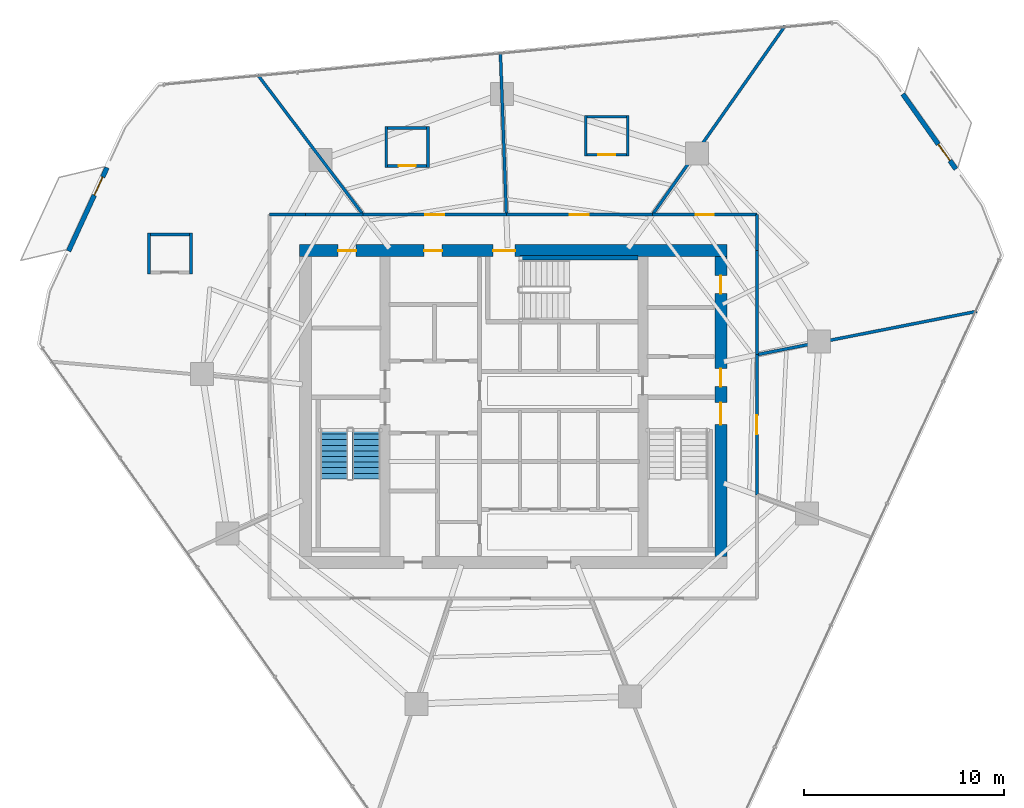
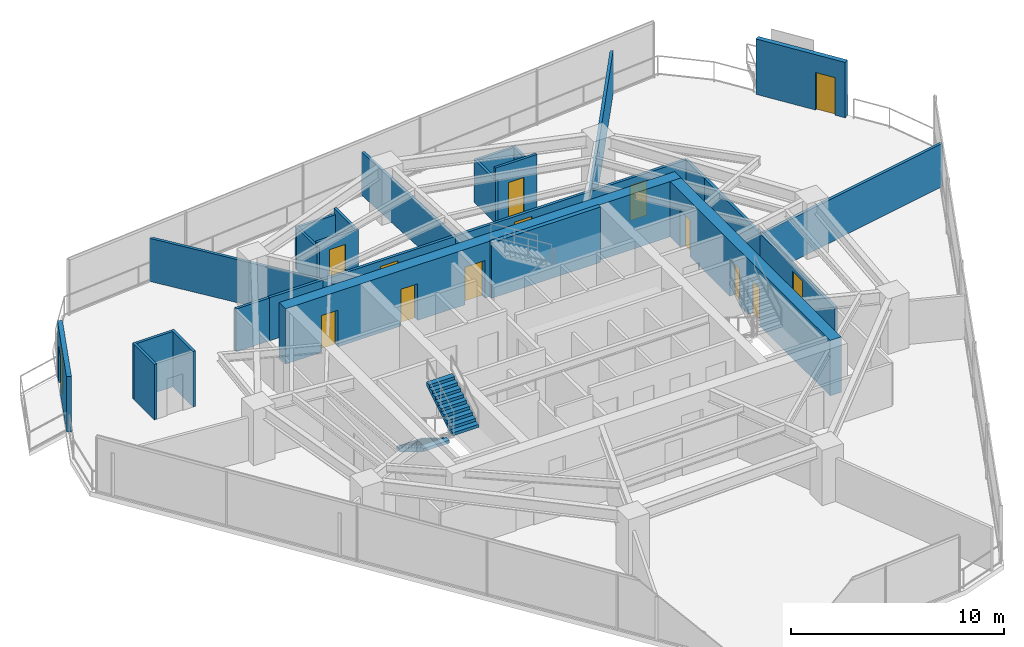
# One storey, part 26 of 30: 28 walls, 14 doors, 2 stair flights, 14 openings, 1 element without a shape of its own.
"""IFC4 building model written with IfcOpenShell, lengths in metres."""

from ifc_helpers import new_model, si_unit, direction, frame, frame_2d, origin, place, context, subcontext, project, spatial, polyline, rectangle, outline, extrude, material, layer, layer_set, type_object, element, fill, aggregate, save


model = new_model("IFC4")

# Units and contexts
model_context = context("Model", 3, precision=1e-05, world=origin(), true_north=direction((0.0, 1.0)))
body_context = subcontext(model_context, "Body", "Model", "MODEL_VIEW")
ifc_project = project(units=[si_unit("LENGTHUNIT", "METRE"), si_unit("AREAUNIT", "SQUARE_METRE"), si_unit("VOLUMEUNIT", "CUBIC_METRE"), si_unit("PLANEANGLEUNIT", "RADIAN"), si_unit("MASSUNIT", "GRAM", prefix="KILO")], contexts=[model_context])

# Site, building, storey
site_placement = place(None, origin())
site = spatial("IfcSite", under=ifc_project, at=site_placement, CompositionType="ELEMENT")
building_placement = place(site_placement, origin())
building = spatial("IfcBuilding", under=site, at=building_placement, Name="Qarnah Convention Tower", CompositionType="ELEMENT")
storey_placement = place(building_placement, frame((0.0, 0.0, 86.699951171875)))
storey = spatial("IfcBuildingStorey", under=building, at=storey_placement, Name="L22", CompositionType="ELEMENT", Elevation=86.699951171875)

# Wall, openings, doors
ifc_material_1 = material(Name="Concrete C60/75", Category="concrete")
ifc_layer_1 = layer(ifc_material_1, 0.60009765625)
ifc_layer_set_1 = layer_set([ifc_layer_1], Name="Concrete C60/75")
wall_type_1 = type_object("IfcWallType", Name="WL-CORE-600", PredefinedType="SHEAR", material=ifc_layer_set_1)
wall_1_placement = place(storey_placement, frame((26.5, 34.199951171875, 0.0), z_axis=(0.0, 0.0, 1.0), x_axis=(1.0, 0.0, 0.0)))
wall_1 = element("IfcWall", 1, at=wall_1_placement, inside=storey, type_object=wall_type_1, Name="L22 core north shear wall", PredefinedType="SHEAR", context=body_context, shape_type="SweptSolid", body=[
    extrude(rectangle(XDim=21.39990234375, YDim=0.60009765625, at=frame_2d((10.699951171875, 0.0))), origin(), (0.0, 0.0, 1.0), 3.170166015625),
])
opening_1_placement = place(wall_1_placement, frame((9.699951171875, 0.0, 0.0)))
opening_1 = element("IfcOpeningElement", 2, at=opening_1_placement, cuts=wall_1, Name="Opening D-2203", PredefinedType="OPENING", context=body_context, shape_type="SweptSolid", body=[
    extrude(rectangle(XDim=1.10009765625, YDim=2.14990234375, at=frame_2d((0.550048828125, 1.074951171875))), frame((0.0, 0.31005859375, 0.0), z_axis=(0.0, -1.0, 0.0), x_axis=(1.0, 0.0, 0.0)), (0.0, 0.0, 1.0), 0.6201171875),
])
opening_2_placement = place(wall_1_placement, frame((1.949951171875, 0.0, 0.0)))
opening_2 = element("IfcOpeningElement", 3, at=opening_2_placement, cuts=wall_1, Name="Opening D-2209", PredefinedType="OPENING", context=body_context, shape_type="SweptSolid", body=[
    extrude(rectangle(XDim=0.89990234375, YDim=2.10009765625, at=frame_2d((0.449951171875, 1.050048828125))), frame((0.0, 0.31005859375, 0.0), z_axis=(0.0, -1.0, 0.0), x_axis=(1.0, 0.0, 0.0)), (0.0, 0.0, 1.0), 0.6201171875),
])
opening_3_placement = place(wall_1_placement, frame((6.25, 0.0, 0.0)))
opening_3 = element("IfcOpeningElement", 4, at=opening_3_placement, cuts=wall_1, Name="Opening D-2210", PredefinedType="OPENING", context=body_context, shape_type="SweptSolid", body=[
    extrude(rectangle(XDim=0.89990234375, YDim=2.10009765625, at=frame_2d((0.449951171875, 1.050048828125))), frame((0.0, 0.31005859375, 0.0), z_axis=(0.0, -1.0, 0.0), x_axis=(1.0, 0.0, 0.0)), (0.0, 0.0, 1.0), 0.6201171875),
])
ifc_material_2 = material(Name="Structural steel S355JR", Category="steel")
door_type_1 = type_object("IfcDoorType", Name="DT-RISER-900", OperationType="NOTDEFINED", PredefinedType="DOOR", material=ifc_material_2)
door_1_placement = place(opening_2_placement, origin())
door_1 = element("IfcDoor", 5, at=door_1_placement, inside=storey, type_object=door_type_1, Name="Door D-2209", OperationType="SINGLE_SWING_RIGHT", OverallHeight=2.10009765625, OverallWidth=0.89990234375, PredefinedType="DOOR", context=body_context, shape_type="SweptSolid", body=[
    extrude(rectangle(XDim=0.89990234375, YDim=2.10009765625, at=frame_2d((0.449951171875, 1.050048828125))), frame((0.0, 0.02490234375, 0.0), z_axis=(0.0, -1.0, 0.0), x_axis=(1.0, 0.0, 0.0)), (0.0, 0.0, 1.0), 0.050048828125),
])
fill(opening_2, door_1)
door_2_placement = place(opening_3_placement, origin())
door_2 = element("IfcDoor", 6, at=door_2_placement, inside=storey, type_object=door_type_1, Name="Door D-2210", OperationType="SINGLE_SWING_LEFT", OverallHeight=2.10009765625, OverallWidth=0.89990234375, PredefinedType="DOOR", context=body_context, shape_type="SweptSolid", body=[
    extrude(rectangle(XDim=0.89990234375, YDim=2.10009765625, at=frame_2d((0.449951171875, 1.050048828125))), frame((0.0, 0.02490234375, 0.0), z_axis=(0.0, -1.0, 0.0), x_axis=(1.0, 0.0, 0.0)), (0.0, 0.0, 1.0), 0.050048828125),
])
fill(opening_3, door_2)
door_type_2 = type_object("IfcDoorType", Name="DT-STAIR-1100", OperationType="NOTDEFINED", PredefinedType="DOOR", material=ifc_material_2)
door_3_placement = place(opening_1_placement, origin())
door_3 = element("IfcDoor", 7, at=door_3_placement, inside=storey, type_object=door_type_2, Name="Door D-2203", OperationType="SINGLE_SWING_RIGHT", OverallHeight=2.14990234375, OverallWidth=1.10009765625, PredefinedType="DOOR", context=body_context, shape_type="SweptSolid", body=[
    extrude(rectangle(XDim=1.10009765625, YDim=2.14990234375, at=frame_2d((0.550048828125, 1.074951171875))), frame((0.0, 0.02490234375, 0.0), z_axis=(0.0, -1.0, 0.0), x_axis=(1.0, 0.0, 0.0)), (0.0, 0.0, 1.0), 0.050048828125),
])
fill(opening_1, door_3)

wall_2_placement = place(storey_placement, frame((47.60009765625, 18.89990234375, 0.0), z_axis=(0.0, 0.0, 1.0), x_axis=(0.0, 1.0, 0.0)))
wall_2 = element("IfcWall", 8, at=wall_2_placement, inside=storey, type_object=wall_type_1, Name="L22 core east shear wall", PredefinedType="SHEAR", context=body_context, shape_type="SweptSolid", body=[
    extrude(rectangle(XDim=15.0, YDim=0.60009765625, at=frame_2d((7.5, 0.0))), origin(), (0.0, 0.0, 1.0), 3.170166015625),
])
opening_4_placement = place(wall_2_placement, frame((6.60009765625, 0.0, 0.0)))
opening_4 = element("IfcOpeningElement", 9, at=opening_4_placement, cuts=wall_2, Name="Opening D-2202", PredefinedType="OPENING", context=body_context, shape_type="SweptSolid", body=[
    extrude(rectangle(XDim=1.10009765625, YDim=2.14990234375, at=frame_2d((0.550048828125, 1.074951171875))), frame((0.0, 0.31005859375, 0.0), z_axis=(0.0, -1.0, 0.0), x_axis=(1.0, 0.0, 0.0)), (0.0, 0.0, 1.0), 0.6201171875),
])
opening_5_placement = place(wall_2_placement, frame((8.5, 0.0, 0.0)))
opening_5 = element("IfcOpeningElement", 10, at=opening_5_placement, cuts=wall_2, Name="Opening D-2206", PredefinedType="OPENING", context=body_context, shape_type="SweptSolid", body=[
    extrude(rectangle(XDim=0.89990234375, YDim=2.10009765625, at=frame_2d((0.449951171875, 1.050048828125))), frame((0.0, 0.31005859375, 0.0), z_axis=(0.0, -1.0, 0.0), x_axis=(1.0, 0.0, 0.0)), (0.0, 0.0, 1.0), 0.6201171875),
])
opening_6_placement = place(wall_2_placement, frame((13.14990234375, 0.0, 0.0)))
opening_6 = element("IfcOpeningElement", 11, at=opening_6_placement, cuts=wall_2, Name="Opening D-2212", PredefinedType="OPENING", context=body_context, shape_type="SweptSolid", body=[
    extrude(rectangle(XDim=0.89990234375, YDim=2.10009765625, at=frame_2d((0.449951171875, 1.050048828125))), frame((0.0, 0.31005859375, 0.0), z_axis=(0.0, -1.0, 0.0), x_axis=(1.0, 0.0, 0.0)), (0.0, 0.0, 1.0), 0.6201171875),
])
door_4_placement = place(opening_5_placement, origin())
door_4 = element("IfcDoor", 12, at=door_4_placement, inside=storey, type_object=door_type_1, Name="Door D-2206", OperationType="SINGLE_SWING_LEFT", OverallHeight=2.10009765625, OverallWidth=0.89990234375, PredefinedType="DOOR", context=body_context, shape_type="SweptSolid", body=[
    extrude(rectangle(XDim=0.89990234375, YDim=2.10009765625, at=frame_2d((0.449951171875, 1.050048828125))), frame((0.0, 0.02490234375, 0.0), z_axis=(0.0, -1.0, 0.0), x_axis=(1.0, 0.0, 0.0)), (0.0, 0.0, 1.0), 0.050048828125),
])
fill(opening_5, door_4)
door_5_placement = place(opening_6_placement, origin())
door_5 = element("IfcDoor", 13, at=door_5_placement, inside=storey, type_object=door_type_1, Name="Door D-2212", OperationType="SINGLE_SWING_LEFT", OverallHeight=2.10009765625, OverallWidth=0.89990234375, PredefinedType="DOOR", context=body_context, shape_type="SweptSolid", body=[
    extrude(rectangle(XDim=0.89990234375, YDim=2.10009765625, at=frame_2d((0.449951171875, 1.050048828125))), frame((0.0, 0.02490234375, 0.0), z_axis=(0.0, -1.0, 0.0), x_axis=(1.0, 0.0, 0.0)), (0.0, 0.0, 1.0), 0.050048828125),
])
fill(opening_6, door_5)
door_6_placement = place(opening_4_placement, origin())
door_6 = element("IfcDoor", 14, at=door_6_placement, inside=storey, type_object=door_type_2, Name="Door D-2202", OperationType="SINGLE_SWING_LEFT", OverallHeight=2.14990234375, OverallWidth=1.10009765625, PredefinedType="DOOR", context=body_context, shape_type="SweptSolid", body=[
    extrude(rectangle(XDim=1.10009765625, YDim=2.14990234375, at=frame_2d((0.550048828125, 1.074951171875))), frame((0.0, 0.02490234375, 0.0), z_axis=(0.0, -1.0, 0.0), x_axis=(1.0, 0.0, 0.0)), (0.0, 0.0, 1.0), 0.050048828125),
])
fill(opening_4, door_6)

# Wall
ifc_layer_2 = layer(ifc_material_1, 0.219970703125)
ifc_layer_set_2 = layer_set([ifc_layer_2], Name="Concrete C60/75")
wall_type_2 = type_object("IfcWallType", Name="WL-CORE-STAIR-220", PredefinedType="SHEAR", material=ifc_layer_set_2)
wall_3_placement = place(storey_placement, frame((37.550048828125, 33.840087890625, 0.0), z_axis=(0.0, 0.0, 1.0), x_axis=(1.0, 0.0, 0.0)))
element("IfcWall", 15, at=wall_3_placement, inside=storey, type_object=wall_type_2, Name="L22 stair shaft shear wall SW-L22-ST3N", PredefinedType="SHEAR", context=body_context, shape_type="SweptSolid", body=[
    extrude(rectangle(XDim=5.89990234375, YDim=0.219970703125, at=frame_2d((2.949951171875, 0.0))), origin(), (0.0, 0.0, 1.0), 3.170166015625),
])

# Wall, opening, door
ifc_material_3 = material(Name="Precast concrete C45/55", Category="concrete")
ifc_layer_3 = layer(ifc_material_3, 0.239990234375)
ifc_layer_set_3 = layer_set([ifc_layer_3], Name="Precast concrete C45/55")
wall_type_3 = type_object("IfcWallType", Name="WL-EXT-BAL-240", PredefinedType="SOLIDWALL", material=ifc_layer_set_3)
wall_4_placement = place(storey_placement, frame((56.7060546875, 42.0380859375, 0.0), z_axis=(0.0, 0.0, 1.0), x_axis=(0.577597585824, -0.816321645462, 0.0)))
wall_4 = element("IfcWall", 16, at=wall_4_placement, inside=storey, type_object=wall_type_3, Name="L22 loggia threshold wall BAL-L22-C1", PredefinedType="SOLIDWALL", context=body_context, shape_type="SweptSolid", body=[
    extrude(rectangle(XDim=4.60009765625, YDim=0.239990234375, at=frame_2d((2.300048828125, 0.0))), origin(), (0.0, 0.0, 1.0), 3.170166015625),
])
opening_7_placement = place(wall_4_placement, frame((3.080078125, 0.0, 0.0)))
opening_7 = element("IfcOpeningElement", 17, at=opening_7_placement, cuts=wall_4, Name="Opening BD-2201", PredefinedType="OPENING", context=body_context, shape_type="SweptSolid", body=[
    extrude(rectangle(XDim=1.0, YDim=2.14990234375, at=frame_2d((0.5, 1.074951171875))), frame((0.0, 0.1298828125, 0.0), z_axis=(0.0, -1.0, 0.0), x_axis=(1.0, 0.0, 0.0)), (0.0, 0.0, 1.0), 0.260009765625),
])
ifc_material_4 = material(Name="Black anodised aluminium", Category="aluminium")
door_type_3 = type_object("IfcDoorType", Name="DT-BAL-1000", OperationType="NOTDEFINED", PredefinedType="DOOR", material=ifc_material_4)
door_7_placement = place(opening_7_placement, origin())
door_7 = element("IfcDoor", 18, at=door_7_placement, inside=storey, type_object=door_type_3, Name="L22 balcony terrace door BAL-L22-C1", OperationType="SINGLE_SWING_LEFT", OverallHeight=2.14990234375, OverallWidth=1.0, PredefinedType="DOOR", context=body_context, shape_type="SweptSolid", body=[
    extrude(rectangle(XDim=1.0, YDim=2.14990234375, at=frame_2d((0.5, 1.074951171875))), frame((0.0, 0.02490234375, 0.0), z_axis=(0.0, -1.0, 0.0), x_axis=(1.0, 0.0, 0.0)), (0.0, 0.0, 1.0), 0.050048828125),
])
fill(opening_7, door_7)

wall_5_placement = place(storey_placement, frame((14.951904296875, 34.178955078125, 0.0), z_axis=(0.0, 0.0, 1.0), x_axis=(0.418300711936, 0.908308600859, 0.0)))
wall_5 = element("IfcWall", 19, at=wall_5_placement, inside=storey, type_object=wall_type_3, Name="L22 loggia threshold wall BAL-L22-C2", PredefinedType="SOLIDWALL", context=body_context, shape_type="SweptSolid", body=[
    extrude(rectangle(XDim=4.599853515625, YDim=0.239990234375, at=frame_2d((2.2998046875, 0.0))), origin(), (0.0, 0.0, 1.0), 3.170166015625),
])
opening_8_placement = place(wall_5_placement, frame((3.080078125, 0.0, 0.0)))
opening_8 = element("IfcOpeningElement", 20, at=opening_8_placement, cuts=wall_5, Name="Opening BD-2202", PredefinedType="OPENING", context=body_context, shape_type="SweptSolid", body=[
    extrude(rectangle(XDim=1.0, YDim=2.14990234375, at=frame_2d((0.5, 1.074951171875))), frame((0.0, 0.1298828125, 0.0), z_axis=(0.0, -1.0, 0.0), x_axis=(1.0, 0.0, 0.0)), (0.0, 0.0, 1.0), 0.260009765625),
])
door_8_placement = place(opening_8_placement, origin())
door_8 = element("IfcDoor", 21, at=door_8_placement, inside=storey, type_object=door_type_3, Name="L22 balcony terrace door BAL-L22-C2", OperationType="SINGLE_SWING_RIGHT", OverallHeight=2.14990234375, OverallWidth=1.0, PredefinedType="DOOR", context=body_context, shape_type="SweptSolid", body=[
    extrude(rectangle(XDim=1.0, YDim=2.14990234375, at=frame_2d((0.5, 1.074951171875))), frame((0.0, 0.02490234375, 0.0), z_axis=(0.0, -1.0, 0.0), x_axis=(1.0, 0.0, 0.0)), (0.0, 0.0, 1.0), 0.050048828125),
])
fill(opening_8, door_8)

# Wall
ifc_material_5 = material(Name="Gypsum partition board")
ifc_layer_4 = layer(ifc_material_5, 0.14990234375)
ifc_layer_set_4 = layer_set([ifc_layer_4], Name="Gypsum partition board")
wall_type_4 = type_object("IfcWallType", Name="WL-SUITE-150", PredefinedType="PARTITIONING", material=ifc_layer_set_4)
wall_6_placement = place(storey_placement, frame((50.806884765625, 45.44091796875, 0.0), z_axis=(0.0, 0.0, 1.0), x_axis=(-0.574810742327, -0.818286386607, 0.0)))
element("IfcWall", 22, at=wall_6_placement, inside=storey, type_object=wall_type_4, Name="L22 interior wall IW-L22-R-13", PredefinedType="PARTITIONING", context=body_context, shape_type="SweptSolid", body=[
    extrude(rectangle(XDim=11.537353515625, YDim=0.14990234375, at=frame_2d((5.7685546875, 0.0))), origin(), (0.0, 0.0, 1.0), 2.467041015625),
])

# Wall, opening, door
wall_7_placement = place(storey_placement, frame((44.175048828125, 36.0, 0.0), z_axis=(0.0, 0.0, 1.0), x_axis=(1.0, 0.0, 0.0)))
wall_7 = element("IfcWall", 23, at=wall_7_placement, inside=storey, type_object=wall_type_4, Name="L22 interior wall IW-L22-R-14", PredefinedType="PARTITIONING", context=body_context, shape_type="SweptSolid", body=[
    extrude(rectangle(XDim=5.224853515625, YDim=0.14990234375, at=frame_2d((2.6123046875, 0.0))), origin(), (0.0, 0.0, 1.0), 2.455078125),
])
opening_9_placement = place(wall_7_placement, frame((2.1630859375, 0.0, 0.0)))
opening_9 = element("IfcOpeningElement", 24, at=opening_9_placement, cuts=wall_7, Name="Opening D-2216", PredefinedType="OPENING", context=body_context, shape_type="SweptSolid", body=[
    extrude(rectangle(XDim=0.89990234375, YDim=2.0, at=frame_2d((0.449951171875, 1.0))), frame((0.0, 0.0849609375, 0.0), z_axis=(0.0, -1.0, 0.0), x_axis=(1.0, 0.0, 0.0)), (0.0, 0.0, 1.0), 0.169921875),
])
door_type_4 = type_object("IfcDoorType", Name="DT-PLANT-900", OperationType="NOTDEFINED", PredefinedType="DOOR", material=ifc_material_2)
door_9_placement = place(opening_9_placement, origin())
door_9 = element("IfcDoor", 25, at=door_9_placement, inside=storey, type_object=door_type_4, Name="Door D-2216", OperationType="SINGLE_SWING_LEFT", OverallHeight=2.0, OverallWidth=0.89990234375, PredefinedType="DOOR", context=body_context, shape_type="SweptSolid", body=[
    extrude(rectangle(XDim=0.89990234375, YDim=2.0, at=frame_2d((0.449951171875, 1.0))), frame((0.0, 0.02490234375, 0.0), z_axis=(0.0, -1.0, 0.0), x_axis=(1.0, 0.0, 0.0)), (0.0, 0.0, 1.0), 0.050048828125),
])
fill(opening_9, door_9)

# Walls
wall_8_placement = place(storey_placement, frame((49.39990234375, 36.0, 0.0), z_axis=(0.0, 0.0, 1.0), x_axis=(0.0, -1.0, 0.0)))
element("IfcWall", 26, at=wall_8_placement, inside=storey, type_object=wall_type_4, Name="L22 interior wall IW-L22-R-15", PredefinedType="PARTITIONING", context=body_context, shape_type="SweptSolid", body=[
    extrude(rectangle(XDim=1.800048828125, YDim=0.14990234375, at=frame_2d((0.89990234375, 0.0))), origin(), (0.0, 0.0, 1.0), 2.455078125),
])
wall_9_placement = place(storey_placement, frame((49.39990234375, 34.199951171875, 0.0), z_axis=(0.0, 0.0, 1.0), x_axis=(0.0, -1.0, 0.0)))
element("IfcWall", 27, at=wall_9_placement, inside=storey, type_object=wall_type_4, Name="L22 interior wall IW-L22-R-16", PredefinedType="PARTITIONING", context=body_context, shape_type="SweptSolid", body=[
    extrude(rectangle(XDim=5.20703125, YDim=0.14990234375, at=frame_2d((2.603515625, 0.0))), origin(), (0.0, 0.0, 1.0), 2.455078125),
])
wall_10_placement = place(storey_placement, frame((49.39990234375, 28.992919921875, 0.0), z_axis=(0.0, 0.0, 1.0), x_axis=(0.981115939796, 0.193420559091, 0.0)))
element("IfcWall", 28, at=wall_10_placement, inside=storey, type_object=wall_type_4, Name="L22 interior wall IW-L22-R-17", PredefinedType="PARTITIONING", context=body_context, shape_type="SweptSolid", body=[
    extrude(rectangle(XDim=11.219970703125, YDim=0.14990234375, at=frame_2d((5.60986328125, 0.0))), origin(), (0.0, 0.0, 1.0), 2.467041015625),
])
wall_11_placement = place(storey_placement, frame((36.56591796875, 44.10498046875, 0.0), z_axis=(0.0, 0.0, 1.0), x_axis=(0.036874717543, -0.999319896333, 0.0)))
element("IfcWall", 29, at=wall_11_placement, inside=storey, type_object=wall_type_4, Name="L22 interior wall IW-L22-R-18", PredefinedType="PARTITIONING", context=body_context, shape_type="SweptSolid", body=[
    extrude(rectangle(XDim=8.110595703125, YDim=0.14990234375, at=frame_2d((4.05517578125, 0.0))), origin(), (0.0, 0.0, 1.0), 2.467041015625),
])

# Wall, opening, door
wall_12_placement = place(storey_placement, frame((36.864990234375, 36.0, 0.0), z_axis=(0.0, 0.0, 1.0), x_axis=(1.0, 0.0, 0.0)))
wall_12 = element("IfcWall", 30, at=wall_12_placement, inside=storey, type_object=wall_type_4, Name="L22 interior wall IW-L22-R-19", PredefinedType="PARTITIONING", context=body_context, shape_type="SweptSolid", body=[
    extrude(rectangle(XDim=7.31005859375, YDim=0.14990234375, at=frame_2d((3.655029296875, 0.0))), origin(), (0.0, 0.0, 1.0), 2.467041015625),
])
opening_10_placement = place(wall_12_placement, frame((3.179931640625, 0.0, 0.0)))
opening_10 = element("IfcOpeningElement", 31, at=opening_10_placement, cuts=wall_12, Name="Opening D-2217", PredefinedType="OPENING", context=body_context, shape_type="SweptSolid", body=[
    extrude(rectangle(XDim=0.949951171875, YDim=2.14990234375, at=frame_2d((0.47509765625, 1.074951171875))), frame((0.0, 0.0849609375, 0.0), z_axis=(0.0, -1.0, 0.0), x_axis=(1.0, 0.0, 0.0)), (0.0, 0.0, 1.0), 0.169921875),
])
ifc_material_6 = material(Name="Oak timber veneer", Category="wood")
door_type_5 = type_object("IfcDoorType", Name="DT-HOTEL-950", OperationType="NOTDEFINED", PredefinedType="DOOR", material=ifc_material_6)
door_10_placement = place(opening_10_placement, origin())
door_10 = element("IfcDoor", 32, at=door_10_placement, inside=storey, type_object=door_type_5, Name="Door D-2217", OperationType="SINGLE_SWING_RIGHT", OverallHeight=2.14990234375, OverallWidth=0.949951171875, PredefinedType="DOOR", context=body_context, shape_type="SweptSolid", body=[
    extrude(rectangle(XDim=0.949951171875, YDim=2.14990234375, at=frame_2d((0.47509765625, 1.074951171875))), frame((0.0, 0.02490234375, 0.0), z_axis=(0.0, -1.0, 0.0), x_axis=(1.0, 0.0, 0.0)), (0.0, 0.0, 1.0), 0.050048828125),
])
fill(opening_10, door_10)

# Wall
wall_13_placement = place(storey_placement, frame((24.425048828125, 42.99609375, 0.0), z_axis=(0.0, 0.0, 1.0), x_axis=(0.602031024989, -0.798472695182, 0.0)))
element("IfcWall", 33, at=wall_13_placement, inside=storey, type_object=wall_type_4, Name="L22 interior wall IW-L22-R-20", PredefinedType="PARTITIONING", context=body_context, shape_type="SweptSolid", body=[
    extrude(rectangle(XDim=8.761962890625, YDim=0.14990234375, at=frame_2d((4.380859375, 0.0))), origin(), (0.0, 0.0, 1.0), 2.467041015625),
])

# Wall, opening, door
wall_14_placement = place(storey_placement, frame((29.699951171875, 36.0, 0.0), z_axis=(0.0, 0.0, 1.0), x_axis=(1.0, 0.0, 0.0)))
wall_14 = element("IfcWall", 34, at=wall_14_placement, inside=storey, type_object=wall_type_4, Name="L22 interior wall IW-L22-R-21", PredefinedType="PARTITIONING", context=body_context, shape_type="SweptSolid", body=[
    extrude(rectangle(XDim=7.1650390625, YDim=0.14990234375, at=frame_2d((3.58251953125, 0.0))), origin(), (0.0, 0.0, 1.0), 2.467041015625),
])
opening_11_placement = place(wall_14_placement, frame((3.10791015625, 0.0, 0.0)))
opening_11 = element("IfcOpeningElement", 35, at=opening_11_placement, cuts=wall_14, Name="Opening D-2219", PredefinedType="OPENING", context=body_context, shape_type="SweptSolid", body=[
    extrude(rectangle(XDim=0.949951171875, YDim=2.14990234375, at=frame_2d((0.47509765625, 1.074951171875))), frame((0.0, 0.0849609375, 0.0), z_axis=(0.0, -1.0, 0.0), x_axis=(1.0, 0.0, 0.0)), (0.0, 0.0, 1.0), 0.169921875),
])
door_11_placement = place(opening_11_placement, origin())
door_11 = element("IfcDoor", 36, at=door_11_placement, inside=storey, type_object=door_type_5, Name="Door D-2219", OperationType="SINGLE_SWING_RIGHT", OverallHeight=2.14990234375, OverallWidth=0.949951171875, PredefinedType="DOOR", context=body_context, shape_type="SweptSolid", body=[
    extrude(rectangle(XDim=0.949951171875, YDim=2.14990234375, at=frame_2d((0.47509765625, 1.074951171875))), frame((0.0, 0.02490234375, 0.0), z_axis=(0.0, -1.0, 0.0), x_axis=(1.0, 0.0, 0.0)), (0.0, 0.0, 1.0), 0.050048828125),
])
fill(opening_11, door_11)

# Walls
wall_15_placement = place(storey_placement, frame((25.0, 36.0, 0.0), z_axis=(0.0, 0.0, 1.0), x_axis=(1.0, 0.0, 0.0)))
element("IfcWall", 37, at=wall_15_placement, inside=storey, type_object=wall_type_4, Name="L22 interior wall IW-L22-R-24", PredefinedType="PARTITIONING", context=body_context, shape_type="SweptSolid", body=[
    extrude(rectangle(XDim=1.800048828125, YDim=0.14990234375, at=frame_2d((0.89990234375, 0.0))), origin(), (0.0, 0.0, 1.0), 2.455078125),
])
wall_16_placement = place(storey_placement, frame((26.800048828125, 36.0, 0.0), z_axis=(0.0, 0.0, 1.0), x_axis=(1.0, 0.0, 0.0)))
element("IfcWall", 38, at=wall_16_placement, inside=storey, type_object=wall_type_4, Name="L22 interior wall IW-L22-R-25", PredefinedType="PARTITIONING", context=body_context, shape_type="SweptSolid", body=[
    extrude(rectangle(XDim=2.89990234375, YDim=0.14990234375, at=frame_2d((1.449951171875, 0.0))), origin(), (0.0, 0.0, 1.0), 2.467041015625),
])

# Wall, opening, door
wall_17_placement = place(storey_placement, frame((49.39990234375, 28.992919921875, 0.0), z_axis=(0.0, 0.0, 1.0), x_axis=(0.0, -1.0, 0.0)))
wall_17 = element("IfcWall", 39, at=wall_17_placement, inside=storey, type_object=wall_type_4, Name="L22 interior wall IW-L22-R-38", PredefinedType="PARTITIONING", context=body_context, shape_type="SweptSolid", body=[
    extrude(rectangle(XDim=7.032958984375, YDim=0.14990234375, at=frame_2d((3.5166015625, 0.0))), origin(), (0.0, 0.0, 1.0), 2.467041015625),
])
opening_12_placement = place(wall_17_placement, frame((3.041015625, 0.0, 0.0)))
opening_12 = element("IfcOpeningElement", 40, at=opening_12_placement, cuts=wall_17, Name="Opening D-2227", PredefinedType="OPENING", context=body_context, shape_type="SweptSolid", body=[
    extrude(rectangle(XDim=0.949951171875, YDim=2.14990234375, at=frame_2d((0.47509765625, 1.074951171875))), frame((0.0, 0.0849609375, 0.0), z_axis=(0.0, -1.0, 0.0), x_axis=(1.0, 0.0, 0.0)), (0.0, 0.0, 1.0), 0.169921875),
])
door_12_placement = place(opening_12_placement, origin())
door_12 = element("IfcDoor", 41, at=door_12_placement, inside=storey, type_object=door_type_5, Name="Door D-2227", OperationType="SINGLE_SWING_RIGHT", OverallHeight=2.14990234375, OverallWidth=0.949951171875, PredefinedType="DOOR", context=body_context, shape_type="SweptSolid", body=[
    extrude(rectangle(XDim=0.949951171875, YDim=2.14990234375, at=frame_2d((0.47509765625, 1.074951171875))), frame((0.0, 0.02490234375, 0.0), z_axis=(0.0, -1.0, 0.0), x_axis=(1.0, 0.0, 0.0)), (0.0, 0.0, 1.0), 0.050048828125),
])
fill(opening_12, door_12)

ifc_layer_5 = layer(ifc_material_5, 0.139892578125)
ifc_layer_set_5 = layer_set([ifc_layer_5], Name="Gypsum partition board")
wall_type_5 = type_object("IfcWallType", Name="WL-WET-140", PredefinedType="PARTITIONING", material=ifc_layer_set_5)
wall_18_placement = place(storey_placement, frame((40.76708984375, 39.0029296875, 0.0), z_axis=(0.0, 0.0, 1.0), x_axis=(1.0, 0.0, 0.0)))
wall_18 = element("IfcWall", 42, at=wall_18_placement, inside=storey, type_object=wall_type_5, Name="L22 interior wall IW-L22-ENS01-1", PredefinedType="PARTITIONING", context=body_context, shape_type="SweptSolid", body=[
    extrude(rectangle(XDim=2.239990234375, YDim=0.139892578125, at=frame_2d((1.1201171875, 0.0))), origin(), (0.0, 0.0, 1.0), 3.170166015625),
])
opening_13_placement = place(wall_18_placement, frame((0.695068359375, 0.0, 0.0)))
opening_13 = element("IfcOpeningElement", 43, at=opening_13_placement, cuts=wall_18, Name="Opening D-2218", PredefinedType="OPENING", context=body_context, shape_type="SweptSolid", body=[
    extrude(rectangle(XDim=0.85009765625, YDim=2.10009765625, at=frame_2d((0.425048828125, 1.050048828125))), frame((0.0, 0.079833984375, 0.0), z_axis=(0.0, -1.0, 0.0), x_axis=(1.0, 0.0, 0.0)), (0.0, 0.0, 1.0), 0.159912109375),
])
door_type_6 = type_object("IfcDoorType", Name="DT-BATH-850", OperationType="NOTDEFINED", PredefinedType="DOOR", material=ifc_material_6)
door_13_placement = place(opening_13_placement, origin())
door_13 = element("IfcDoor", 44, at=door_13_placement, inside=storey, type_object=door_type_6, Name="Door D-2218", OperationType="SINGLE_SWING_LEFT", OverallHeight=2.10009765625, OverallWidth=0.85009765625, PredefinedType="DOOR", context=body_context, shape_type="SweptSolid", body=[
    extrude(rectangle(XDim=0.85009765625, YDim=2.10009765625, at=frame_2d((0.425048828125, 1.050048828125))), frame((0.0, 0.02490234375, 0.0), z_axis=(0.0, -1.0, 0.0), x_axis=(1.0, 0.0, 0.0)), (0.0, 0.0, 1.0), 0.050048828125),
])
fill(opening_13, door_13)

# Walls
wall_19_placement = place(storey_placement, frame((42.93701171875, 38.93310546875, 0.0), z_axis=(0.0, 0.0, 1.0), x_axis=(0.0, 1.0, 0.0)))
element("IfcWall", 45, at=wall_19_placement, inside=storey, type_object=wall_type_5, Name="L22 interior wall IW-L22-ENS01-2", PredefinedType="PARTITIONING", context=body_context, shape_type="SweptSolid", body=[
    extrude(rectangle(XDim=2.039794921875, YDim=0.139892578125, at=frame_2d((1.02001953125, 0.0))), origin(), (0.0, 0.0, 1.0), 2.455078125),
])
wall_20_placement = place(storey_placement, frame((43.007080078125, 40.903076171875, 0.0), z_axis=(0.0, 0.0, 1.0), x_axis=(-1.0, 0.0, 0.0)))
element("IfcWall", 46, at=wall_20_placement, inside=storey, type_object=wall_type_5, Name="L22 interior wall IW-L22-ENS01-3", PredefinedType="PARTITIONING", context=body_context, shape_type="SweptSolid", body=[
    extrude(rectangle(XDim=2.239990234375, YDim=0.139892578125, at=frame_2d((1.1201171875, 0.0))), origin(), (0.0, 0.0, 1.0), 2.455078125),
])
wall_21_placement = place(storey_placement, frame((40.8369140625, 40.972900390625, 0.0), z_axis=(0.0, 0.0, 1.0), x_axis=(0.0, -1.0, 0.0)))
element("IfcWall", 47, at=wall_21_placement, inside=storey, type_object=wall_type_5, Name="L22 interior wall IW-L22-ENS01-4", PredefinedType="PARTITIONING", context=body_context, shape_type="SweptSolid", body=[
    extrude(rectangle(XDim=2.039794921875, YDim=0.139892578125, at=frame_2d((1.02001953125, 0.0))), origin(), (0.0, 0.0, 1.0), 2.455078125),
])

# Wall, opening, door
wall_22_placement = place(storey_placement, frame((30.779052734375, 38.43994140625, 0.0), z_axis=(0.0, 0.0, 1.0), x_axis=(1.0, 0.0, 0.0)))
wall_22 = element("IfcWall", 48, at=wall_22_placement, inside=storey, type_object=wall_type_5, Name="L22 interior wall IW-L22-ENS02-1", PredefinedType="PARTITIONING", context=body_context, shape_type="SweptSolid", body=[
    extrude(rectangle(XDim=2.239990234375, YDim=0.139892578125, at=frame_2d((1.1201171875, 0.0))), origin(), (0.0, 0.0, 1.0), 2.7470703125),
])
opening_14_placement = place(wall_22_placement, frame((0.695068359375, 0.0, 0.0)))
opening_14 = element("IfcOpeningElement", 49, at=opening_14_placement, cuts=wall_22, Name="Opening D-2220", PredefinedType="OPENING", context=body_context, shape_type="SweptSolid", body=[
    extrude(rectangle(XDim=0.85009765625, YDim=2.10009765625, at=frame_2d((0.425048828125, 1.050048828125))), frame((0.0, 0.079833984375, 0.0), z_axis=(0.0, -1.0, 0.0), x_axis=(1.0, 0.0, 0.0)), (0.0, 0.0, 1.0), 0.159912109375),
])
door_14_placement = place(opening_14_placement, origin())
door_14 = element("IfcDoor", 50, at=door_14_placement, inside=storey, type_object=door_type_6, Name="Door D-2220", OperationType="SINGLE_SWING_LEFT", OverallHeight=2.10009765625, OverallWidth=0.85009765625, PredefinedType="DOOR", context=body_context, shape_type="SweptSolid", body=[
    extrude(rectangle(XDim=0.85009765625, YDim=2.10009765625, at=frame_2d((0.425048828125, 1.050048828125))), frame((0.0, 0.02490234375, 0.0), z_axis=(0.0, -1.0, 0.0), x_axis=(1.0, 0.0, 0.0)), (0.0, 0.0, 1.0), 0.050048828125),
])
fill(opening_14, door_14)

# Walls
wall_23_placement = place(storey_placement, frame((32.948974609375, 38.3701171875, 0.0), z_axis=(0.0, 0.0, 1.0), x_axis=(0.0, 1.0, 0.0)))
element("IfcWall", 51, at=wall_23_placement, inside=storey, type_object=wall_type_5, Name="L22 interior wall IW-L22-ENS02-2", PredefinedType="PARTITIONING", context=body_context, shape_type="SweptSolid", body=[
    extrude(rectangle(XDim=2.039794921875, YDim=0.139892578125, at=frame_2d((1.02001953125, 0.0))), origin(), (0.0, 0.0, 1.0), 2.7470703125),
])
wall_24_placement = place(storey_placement, frame((33.01904296875, 40.340087890625, 0.0), z_axis=(0.0, 0.0, 1.0), x_axis=(-1.0, 0.0, 0.0)))
element("IfcWall", 52, at=wall_24_placement, inside=storey, type_object=wall_type_5, Name="L22 interior wall IW-L22-ENS02-3", PredefinedType="PARTITIONING", context=body_context, shape_type="SweptSolid", body=[
    extrude(rectangle(XDim=2.239990234375, YDim=0.139892578125, at=frame_2d((1.1201171875, 0.0))), origin(), (0.0, 0.0, 1.0), 2.455078125),
])
wall_25_placement = place(storey_placement, frame((30.84912109375, 40.409912109375, 0.0), z_axis=(0.0, 0.0, 1.0), x_axis=(0.0, -1.0, 0.0)))
element("IfcWall", 53, at=wall_25_placement, inside=storey, type_object=wall_type_5, Name="L22 interior wall IW-L22-ENS02-4", PredefinedType="PARTITIONING", context=body_context, shape_type="SweptSolid", body=[
    extrude(rectangle(XDim=2.039794921875, YDim=0.139892578125, at=frame_2d((1.02001953125, 0.0))), origin(), (0.0, 0.0, 1.0), 2.455078125),
])
wall_26_placement = place(storey_placement, frame((21.074951171875, 33.0390625, 0.0), z_axis=(0.0, 0.0, 1.0), x_axis=(0.0, 1.0, 0.0)))
element("IfcWall", 54, at=wall_26_placement, inside=storey, type_object=wall_type_5, Name="L22 interior wall IW-L22-ENS03-2", PredefinedType="PARTITIONING", context=body_context, shape_type="SweptSolid", body=[
    extrude(rectangle(XDim=2.0400390625, YDim=0.139892578125, at=frame_2d((1.02001953125, 0.0))), origin(), (0.0, 0.0, 1.0), 3.170166015625),
])
wall_27_placement = place(storey_placement, frame((21.14501953125, 35.009033203125, 0.0), z_axis=(0.0, 0.0, 1.0), x_axis=(-1.0, 0.0, 0.0)))
element("IfcWall", 55, at=wall_27_placement, inside=storey, type_object=wall_type_5, Name="L22 interior wall IW-L22-ENS03-3", PredefinedType="PARTITIONING", context=body_context, shape_type="SweptSolid", body=[
    extrude(rectangle(XDim=2.239990234375, YDim=0.139892578125, at=frame_2d((1.1201171875, 0.0))), origin(), (0.0, 0.0, 1.0), 3.170166015625),
])
wall_28_placement = place(storey_placement, frame((18.97509765625, 35.0791015625, 0.0), z_axis=(0.0, 0.0, 1.0), x_axis=(0.0, -1.0, 0.0)))
element("IfcWall", 56, at=wall_28_placement, inside=storey, type_object=wall_type_5, Name="L22 interior wall IW-L22-ENS03-4", PredefinedType="PARTITIONING", context=body_context, shape_type="SweptSolid", body=[
    extrude(rectangle(XDim=2.0400390625, YDim=0.139892578125, at=frame_2d((1.02001953125, 0.0))), origin(), (0.0, 0.0, 1.0), 3.170166015625),
])

# Stair, stair flights
ifc_material_7 = material(Name="Concrete C50/60", Category="concrete")
stair_type = type_object("IfcStairType", Name="STR-HTL", PredefinedType="HALF_TURN_STAIR", material=ifc_material_7)
stair_placement = place(storey_placement, origin())
stair = element("IfcStair", 57, at=stair_placement, inside=storey, type_object=stair_type, Name="L22 Core exit stair ST-1", PredefinedType="HALF_TURN_STAIR")
stair_flight_type = type_object("IfcStairFlightType", Name="FLT-HTL", PredefinedType="STRAIGHT", material=ifc_material_7)
stair_flight_1_placement = place(storey_placement, frame((28.25, 25.300048828125, 0.0), z_axis=(0.0, 0.0, 1.0), x_axis=(0.0, -1.0, 0.0)))
stair_flight_1 = element("IfcStairFlight", 58, at=stair_flight_1_placement, type_object=stair_flight_type, Name="ST-1 flight 1", NumberOfRisers=10, NumberOfTreads=9, PredefinedType="STRAIGHT", RiserHeight=0.1725, TreadLength=0.28, context=body_context, shape_type="SweptSolid", body=[
    extrude(outline(polyline([(0.0, 0.0), (0.0, 0.172607421875), (0.280029296875, 0.172607421875), (0.280029296875, 0.344970703125), (0.56005859375, 0.344970703125), (0.56005859375, 0.517578125), (0.840087890625, 0.517578125), (0.840087890625, 0.68994140625), (1.1201171875, 0.68994140625), (1.1201171875, 0.862548828125), (1.39990234375, 0.862548828125), (1.39990234375, 1.034912109375), (1.679931640625, 1.034912109375), (1.679931640625, 1.20751953125), (1.9599609375, 1.20751953125), (1.9599609375, 1.3798828125), (2.239990234375, 1.3798828125), (2.239990234375, 1.552490234375), (2.52001953125, 1.552490234375), (2.52001953125, 1.72509765625), (2.52001953125, 1.37646484375), (0.285888671875, 0.0), (0.0, 0.0)])), frame((0.0, 0.699951171875, 0.0), z_axis=(0.0, -1.0, 0.0), x_axis=(1.0, 0.0, 0.0)), (0.0, 0.0, 1.0), 1.39990234375),
])
stair_flight_2_placement = place(storey_placement, frame((29.85009765625, 22.780029296875, 1.72509765625), z_axis=(0.0, 0.0, 1.0), x_axis=(0.0, 1.0, 0.0)))
stair_flight_2 = element("IfcStairFlight", 59, at=stair_flight_2_placement, type_object=stair_flight_type, Name="ST-1 flight 2", NumberOfRisers=10, NumberOfTreads=9, PredefinedType="STRAIGHT", RiserHeight=0.1725, TreadLength=0.28, context=body_context, shape_type="SweptSolid", body=[
    extrude(outline(polyline([(0.0, 0.0), (0.0, 0.172607421875), (0.280029296875, 0.172607421875), (0.280029296875, 0.344970703125), (0.56005859375, 0.344970703125), (0.56005859375, 0.517578125), (0.840087890625, 0.517578125), (0.840087890625, 0.68994140625), (1.1201171875, 0.68994140625), (1.1201171875, 0.862548828125), (1.39990234375, 0.862548828125), (1.39990234375, 1.034912109375), (1.679931640625, 1.034912109375), (1.679931640625, 1.20751953125), (1.9599609375, 1.20751953125), (1.9599609375, 1.3798828125), (2.239990234375, 1.3798828125), (2.239990234375, 1.552490234375), (2.52001953125, 1.552490234375), (2.52001953125, 1.72509765625), (2.52001953125, 1.37646484375), (0.285888671875, 0.0), (0.0, 0.0)])), frame((0.0, 0.699951171875, 0.0), z_axis=(0.0, -1.0, 0.0), x_axis=(1.0, 0.0, 0.0)), (0.0, 0.0, 1.0), 1.39990234375),
])
aggregate(stair, [stair_flight_1, stair_flight_2])

save(model, "model.ifc")
